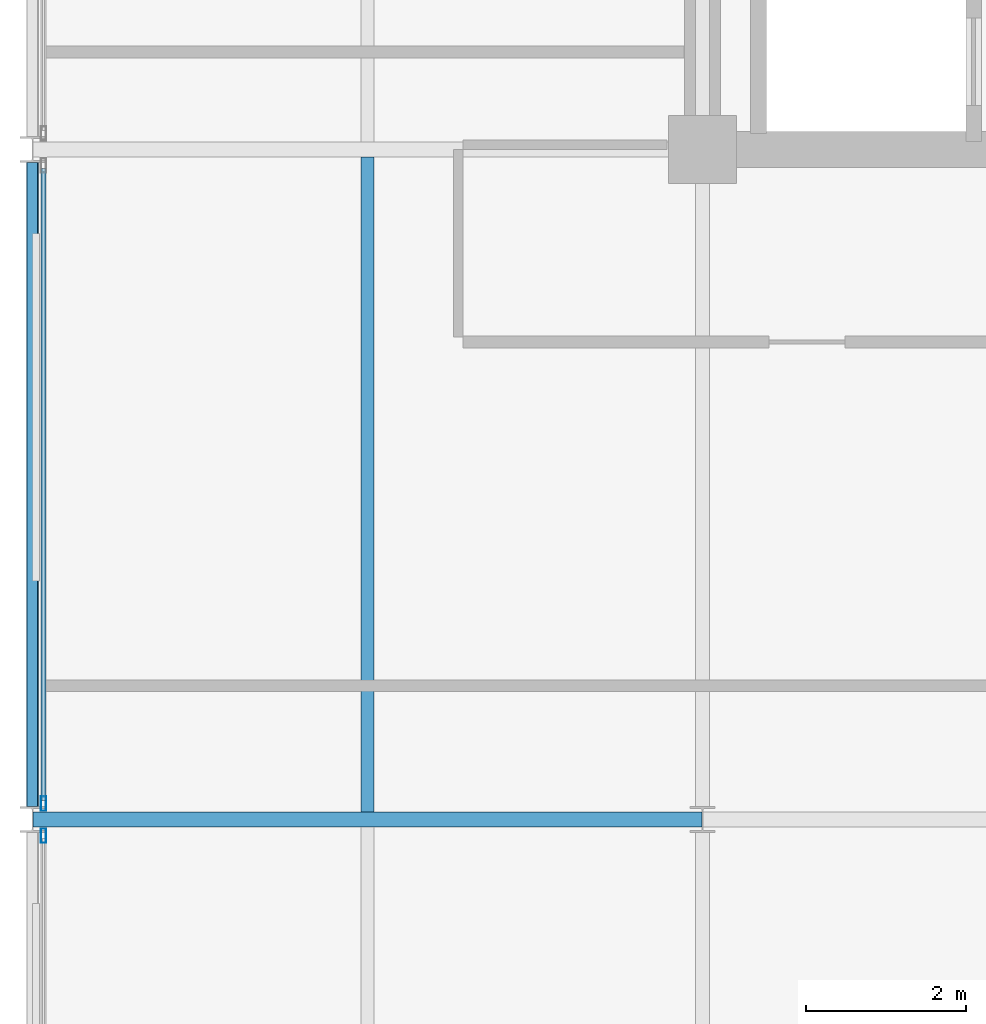
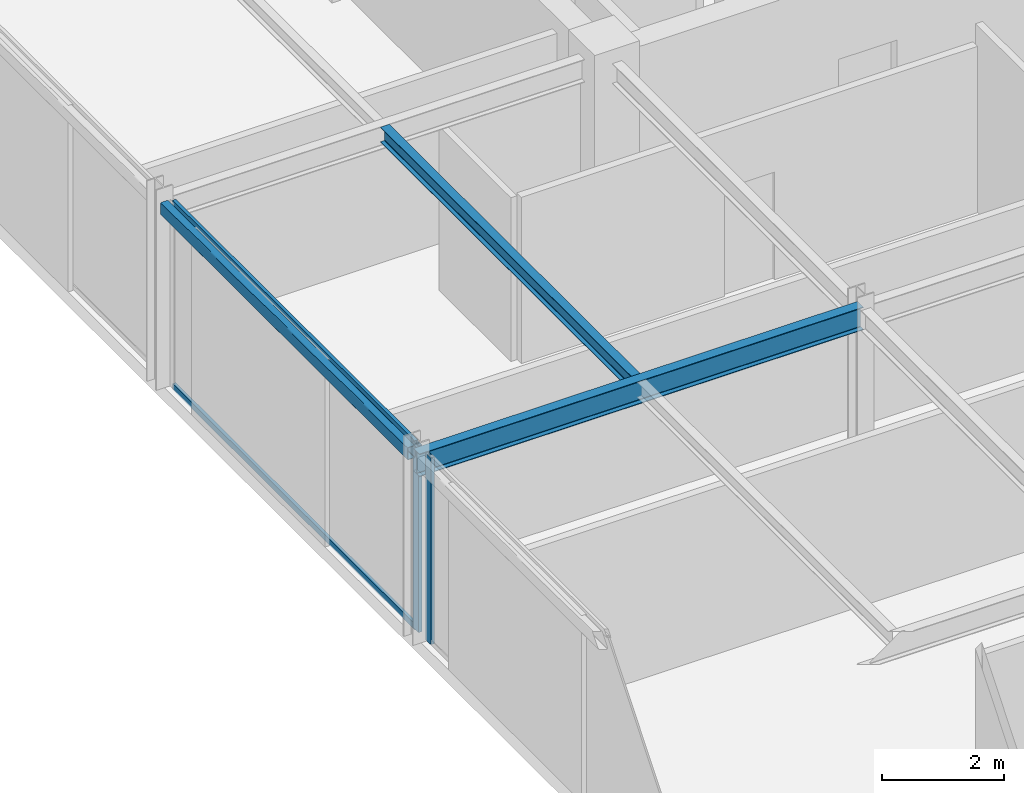
# One storey, part 9 of 24: 4 members, 3 beams, 2 elements without a shape of their own.
"""IFC4 building model written with IfcOpenShell, lengths in metres."""

from ifc_helpers import new_model, si_unit, direction, frame, origin, origin_2d, place, context, subcontext, project, spatial, hollow_rectangle, i_section, extrude, material, layer, layer_set, material_profile, profile_set, type_object, element, aggregate, save


model = new_model("IFC4")

# Units and contexts
model_context = context("Model", 3, precision=1e-05, world=origin(), true_north=direction((0.0, 1.0)))
body_context = subcontext(model_context, "Body", "Model", "MODEL_VIEW")
ifc_project = project(units=[si_unit("LENGTHUNIT", "METRE"), si_unit("AREAUNIT", "SQUARE_METRE"), si_unit("VOLUMEUNIT", "CUBIC_METRE"), si_unit("PLANEANGLEUNIT", "RADIAN"), si_unit("MASSUNIT", "GRAM", prefix="KILO")], contexts=[model_context])

# Site, building, storey
site_placement = place(None, origin())
site = spatial("IfcSite", under=ifc_project, at=site_placement, CompositionType="ELEMENT")
building_placement = place(site_placement, origin())
building = spatial("IfcBuilding", under=site, at=building_placement, Name="Nerrivon Quay Data Exchange", CompositionType="ELEMENT")
storey_placement = place(building_placement, frame((0.0, 0.0, 298.199951171875)))
storey = spatial("IfcBuildingStorey", under=building, at=storey_placement, Name="L71", CompositionType="ELEMENT", Elevation=298.199951171875)

# Beams
ifc_material_1 = material(Name="Steel Grade 350", Category="steel")
ifc_material_profile_1 = material_profile(ifc_material_1, i_section(OverallWidth=0.18994140625, OverallDepth=0.4541015625, WebThickness=0.008544921875, FlangeThickness=0.0126953125, FilletRadius=0.011474609375, at=origin_2d()), Name="460UB67.1")
ifc_profile_set_1 = profile_set([ifc_material_profile_1], Name="Steel Grade 350")
beam_type_1 = type_object("IfcBeamType", Name="BM-G6-460UB67", PredefinedType="BEAM", material=ifc_profile_set_1)
beam_1_placement = place(storey_placement, frame((0.0078125, 16.800048828125, 3.498046875), z_axis=(1.0, 0.0, 0.0), x_axis=(0.0, 1.0, 0.0)))
element("IfcBeam", 1, at=beam_1_placement, inside=storey, type_object=beam_type_1, Name="L71 EW Girder Y=16.8 (0.0..8.4)", PredefinedType="BEAM", context=body_context, shape_type="SweptSolid", body=[
    extrude(i_section(OverallWidth=0.18994140625, OverallDepth=0.4541015625, WebThickness=0.008544921875, FlangeThickness=0.0126953125, FilletRadius=0.011474609375, at=origin_2d()), origin(), (0.0, 0.0, 1.0), 8.38427734375),
])
ifc_material_profile_2 = material_profile(ifc_material_1, i_section(OverallWidth=0.1650390625, OverallDepth=0.303955078125, WebThickness=0.006103515625, FlangeThickness=0.01025390625, FilletRadius=0.011474609375, at=origin_2d()), Name="310UB40.4")
ifc_profile_set_2 = profile_set([ifc_material_profile_2], Name="Steel Grade 350")
beam_type_2 = type_object("IfcBeamType", Name="BM-J6-310UB40", PredefinedType="JOIST", material=ifc_profile_set_2)
beam_2_placement = place(storey_placement, frame((4.199951171875, 16.89501953125, 3.572998046875), z_axis=(0.0, 1.0, 0.0), x_axis=(-1.0, 0.0, 0.0)))
element("IfcBeam", 2, at=beam_2_placement, inside=storey, type_object=beam_type_2, Name="L71 Secondary Joist X=4.2 (16.8..25.2)", PredefinedType="JOIST", context=body_context, shape_type="SweptSolid", body=[
    extrude(i_section(OverallWidth=0.1650390625, OverallDepth=0.303955078125, WebThickness=0.006103515625, FlangeThickness=0.01025390625, FilletRadius=0.011474609375, at=origin_2d()), origin(), (0.0, 0.0, 1.0), 8.2099609375),
])
ifc_material_2 = material(Name="Steel Grade C350L0 (350 MPa)", Category="steel")
ifc_material_profile_3 = material_profile(ifc_material_2, hollow_rectangle(XDim=0.14990234375, YDim=0.25, WallThickness=0.009033203125, InnerFilletRadius=0.013427734375, OuterFilletRadius=0.0224609375, at=origin_2d()), Name="250x150x9.0RHS")
ifc_profile_set_3 = profile_set([ifc_material_profile_3], Name="Steel Grade C350L0 (350 MPa)")
beam_type_3 = type_object("IfcBeamType", Name="BM-SP4-250x150RHS", PredefinedType="SPANDREL", material=ifc_profile_set_3)
beam_3_placement = place(storey_placement, frame((0.0, 16.96337890625, 3.60009765625), z_axis=(0.0, 1.0, 0.0), x_axis=(-1.0, 0.0, 0.0)))
element("IfcBeam", 3, at=beam_3_placement, inside=storey, type_object=beam_type_3, Name="L71 NS Girder X=0.0 (16.8..25.2)", PredefinedType="SPANDREL", context=body_context, shape_type="SweptSolid", body=[
    extrude(hollow_rectangle(XDim=0.14990234375, YDim=0.25, WallThickness=0.009033203125, InnerFilletRadius=0.013427734375, OuterFilletRadius=0.0224609375, at=origin_2d()), origin(), (0.0, 0.0, 1.0), 8.0732421875),
])

# Curtain wall, member
ifc_material_3 = material(Name="Anodised aluminium 6063-T6", Category="aluminium")
ifc_layer = layer(ifc_material_3, 0.195068359375)
ifc_layer_set = layer_set([ifc_layer], Name="Anodised aluminium 6063-T6")
curtain_wall_type = type_object("IfcCurtainWallType", Name="CW-SYS-06", PredefinedType="NOTDEFINED", material=ifc_layer_set)
curtain_wall_1_placement = place(storey_placement, origin())
curtain_wall_1 = element("IfcCurtainWall", 4, at=curtain_wall_1_placement, inside=storey, type_object=curtain_wall_type, Name="L71 Unitised Curtain Wall 9", PredefinedType="NOTDEFINED")
ifc_material_profile_4 = material_profile(ifc_material_3, hollow_rectangle(XDim=0.06494140625, YDim=0.179931640625, WallThickness=0.00341796875, at=origin_2d()), Name="ALU-MULL-180x65")
ifc_profile_set_4 = profile_set([ifc_material_profile_4], Name="Anodised aluminium 6063-T6")
member_type_1 = type_object("IfcMemberType", Name="CWM-180x65", PredefinedType="MULLION", material=ifc_profile_set_4)
member_1_placement = place(storey_placement, frame((0.139892578125, 16.59912109375, 0.0), z_axis=(0.0, 0.0, 1.0), x_axis=(-1.0, 0.0, 0.0)))
member_1 = element("IfcMember", 5, at=member_1_placement, type_object=member_type_1, Name="CW06 mullion 2", PredefinedType="MULLION", context=body_context, shape_type="SweptSolid", body=[
    extrude(hollow_rectangle(XDim=0.06494140625, YDim=0.179931640625, WallThickness=0.00341796875, at=origin_2d()), origin(), (0.0, 0.0, 1.0), 3.72509765625),
])
aggregate(curtain_wall_1, [member_1])

# Curtain wall, members
curtain_wall_2_placement = place(storey_placement, origin())
curtain_wall_2 = element("IfcCurtainWall", 6, at=curtain_wall_2_placement, inside=storey, type_object=curtain_wall_type, Name="L71 Unitised Curtain Wall 10", PredefinedType="NOTDEFINED")
member_2_placement = place(storey_placement, frame((0.139892578125, 17.0009765625, 0.0), z_axis=(0.0, 0.0, 1.0), x_axis=(-1.0, 0.0, 0.0)))
member_2 = element("IfcMember", 7, at=member_2_placement, type_object=member_type_1, Name="CW06 mullion 1", PredefinedType="MULLION", context=body_context, shape_type="SweptSolid", body=[
    extrude(hollow_rectangle(XDim=0.06494140625, YDim=0.179931640625, WallThickness=0.00341796875, at=origin_2d()), origin(), (0.0, 0.0, 1.0), 3.72509765625),
])
ifc_material_profile_5 = material_profile(ifc_material_3, hollow_rectangle(XDim=0.06005859375, YDim=0.1201171875, WallThickness=0.003173828125, at=origin_2d()), Name="ALU-TRAN-120x60")
ifc_profile_set_5 = profile_set([ifc_material_profile_5], Name="Anodised aluminium 6063-T6")
member_type_2 = type_object("IfcMemberType", Name="CWT-120x60", PredefinedType="USERDEFINED", material=ifc_profile_set_5)
member_3_placement = place(storey_placement, frame((0.139892578125, 17.03857421875, 0.032470703125), z_axis=(0.0, 1.0, 0.0), x_axis=(-1.0, 0.0, 0.0)))
member_3 = element("IfcMember", 8, at=member_3_placement, type_object=member_type_2, Name="CW06 transom 1.1", ObjectType="TRANSOM", PredefinedType="USERDEFINED", context=body_context, shape_type="SweptSolid", body=[
    extrude(hollow_rectangle(XDim=0.06005859375, YDim=0.1201171875, WallThickness=0.003173828125, at=origin_2d()), origin(), (0.0, 0.0, 1.0), 7.9228515625),
])
member_4_placement = place(storey_placement, frame((0.139892578125, 17.03857421875, 3.692626953125), z_axis=(0.0, 1.0, 0.0), x_axis=(-1.0, 0.0, 0.0)))
member_4 = element("IfcMember", 9, at=member_4_placement, type_object=member_type_2, Name="CW06 transom 1.2", ObjectType="TRANSOM", PredefinedType="USERDEFINED", context=body_context, shape_type="SweptSolid", body=[
    extrude(hollow_rectangle(XDim=0.06005859375, YDim=0.1201171875, WallThickness=0.003173828125, at=origin_2d()), origin(), (0.0, 0.0, 1.0), 7.9228515625),
])
aggregate(curtain_wall_2, [member_2, member_3, member_4])

save(model, "model.ifc")
